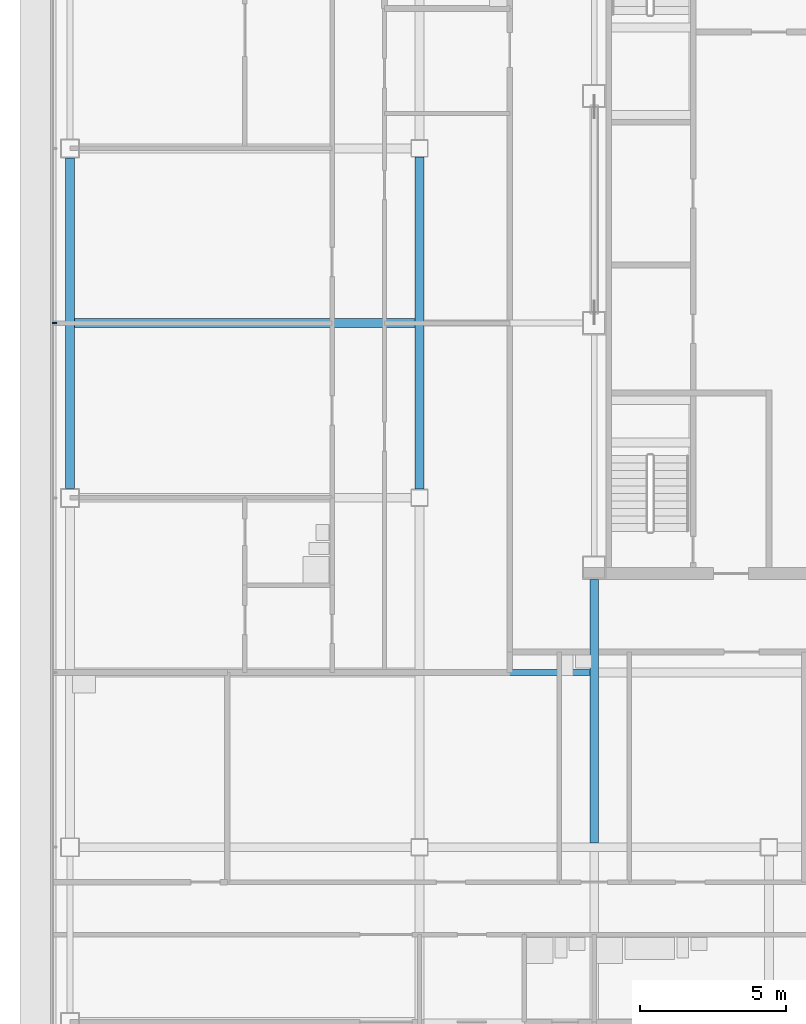
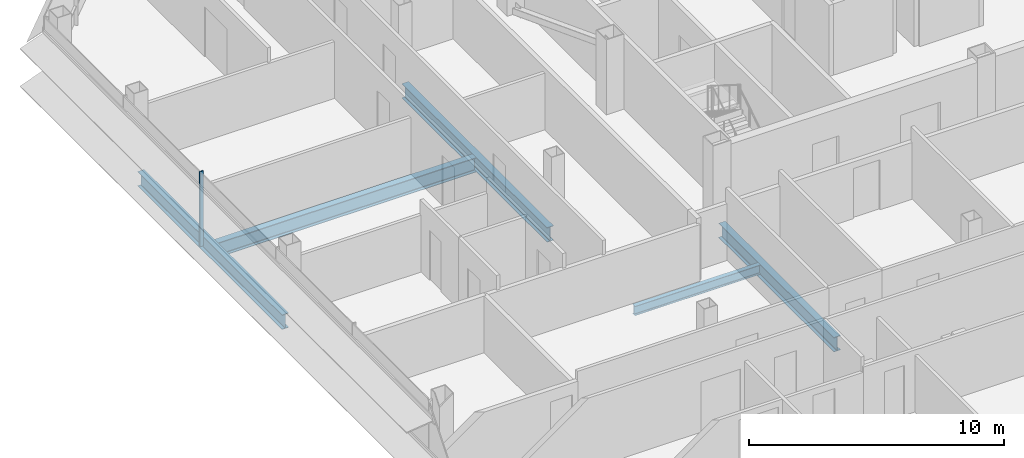
# One storey, part 6 of 27: 5 beams, 1 member, 1 element without a shape of its own.
"""IFC4 building model written with IfcOpenShell, lengths in metres."""

from ifc_helpers import new_model, si_unit, direction, frame, origin, origin_2d, place, context, subcontext, project, spatial, rectangle, i_section, extrude, material, material_profile, profile_set, type_object, element, aggregate, save


model = new_model("IFC4")

# Units and contexts
model_context = context("Model", 3, precision=1e-05, world=origin(), true_north=direction((0.0, 1.0)))
body_context = subcontext(model_context, "Body", "Model", "MODEL_VIEW")
ifc_project = project(units=[si_unit("LENGTHUNIT", "METRE"), si_unit("AREAUNIT", "SQUARE_METRE"), si_unit("VOLUMEUNIT", "CUBIC_METRE"), si_unit("PLANEANGLEUNIT", "RADIAN"), si_unit("MASSUNIT", "GRAM", prefix="KILO")], contexts=[model_context])

# Site, building, storey
site_placement = place(None, origin())
site = spatial("IfcSite", under=ifc_project, at=site_placement, CompositionType="ELEMENT")
building_placement = place(site_placement, origin())
building = spatial("IfcBuilding", under=site, at=building_placement, Name="Sorahane Residences", CompositionType="ELEMENT")
storey_placement = place(building_placement, frame((0.0, 0.0, 226.199951171875)))
storey = spatial("IfcBuildingStorey", under=building, at=storey_placement, Name="L53", CompositionType="ELEMENT", Elevation=226.199951171875)

# Curtain wall, member
ifc_material_1 = material(Name="Dark low-e glass and black anodised aluminium", Category="aluminium")
curtain_wall_type = type_object("IfcCurtainWallType", Name="Curtain wall CW-1 Typical unitised wall", PredefinedType="NOTDEFINED", material=ifc_material_1)
curtain_wall_placement = place(storey_placement, origin())
curtain_wall = element("IfcCurtainWall", 1, at=curtain_wall_placement, inside=storey, type_object=curtain_wall_type, Name="CW-1 curtain wall L53 W1", PredefinedType="NOTDEFINED")
ifc_material_2 = material(Name="Black anodised aluminium", Category="aluminium")
ifc_material_profile_1 = material_profile(ifc_material_2, rectangle(XDim=0.159912109375, YDim=0.050048828125, at=origin_2d()), Name="Curtain wall mullion CW-1 black anodised aluminium 50x160")
ifc_profile_set_1 = profile_set([ifc_material_profile_1], Name="Black anodised aluminium")
member_type = type_object("IfcMemberType", Name="Curtain wall mullion CW-1 black anodised aluminium 50x160", PredefinedType="MULLION", material=ifc_profile_set_1)
member_placement = place(storey_placement, frame((-12.5400390625, 30.0, -0.179931640625), z_axis=(0.0, 0.0, 1.0), x_axis=(-1.0, 0.0, 0.0)))
member = element("IfcMember", 2, at=member_placement, type_object=member_type, Name="CW-1 mullion L53 W1.3", PredefinedType="MULLION", context=body_context, shape_type="SweptSolid", body=[
    extrude(rectangle(XDim=0.159912109375, YDim=0.050048828125, at=origin_2d()), origin(), (0.0, 0.0, 1.0), 3.60009765625),
])
aggregate(curtain_wall, [member])

# Beams
ifc_material_3 = material(Name="Steel Q355B", Category="steel")
ifc_material_profile_2 = material_profile(ifc_material_3, i_section(OverallWidth=0.199951171875, OverallDepth=0.449951171875, WebThickness=0.009033203125, FlangeThickness=0.013916015625, FilletRadius=0.02001953125, at=origin_2d()), Name="HN 450x200x9x14")
ifc_profile_set_2 = profile_set([ifc_material_profile_2], Name="Steel Q355B")
beam_type_1 = type_object("IfcBeamType", Name="Steel floor beam HN 450x200x9x14 Q355B", PredefinedType="BEAM", material=ifc_profile_set_2)
beam_1_placement = place(storey_placement, frame((0.14990234375, 18.0, -0.405029296875), z_axis=(1.0, 0.0, 0.0), x_axis=(0.0, 1.0, 0.0)))
element("IfcBeam", 3, at=beam_1_placement, inside=storey, type_object=beam_type_1, Name="Beam L53 079", PredefinedType="BEAM", context=body_context, shape_type="SweptSolid", body=[
    extrude(i_section(OverallWidth=0.199951171875, OverallDepth=0.449951171875, WebThickness=0.009033203125, FlangeThickness=0.013916015625, FilletRadius=0.02001953125, at=origin_2d()), origin(), (0.0, 0.0, 1.0), 5.7001953125),
])
ifc_material_4 = material(Name="Steel Q355B", Category="steel")
ifc_material_profile_3 = material_profile(ifc_material_4, i_section(OverallWidth=0.300048828125, OverallDepth=0.699951171875, WebThickness=0.012939453125, FlangeThickness=0.02392578125, FilletRadius=0.028076171875, at=origin_2d()), Name="HN 700x300x13x24")
ifc_profile_set_3 = profile_set([ifc_material_profile_3], Name="Steel Q355B")
beam_type_2 = type_object("IfcBeamType", Name="Steel floor beam HN 700x300x13x24 Q355B", PredefinedType="BEAM", material=ifc_profile_set_3)
beam_2_placement = place(storey_placement, frame((-12.0, 24.324951171875, -0.530029296875), z_axis=(0.0, 1.0, 0.0), x_axis=(-1.0, 0.0, 0.0)))
element("IfcBeam", 4, at=beam_2_placement, inside=storey, type_object=beam_type_2, Name="Beam L53 022", PredefinedType="BEAM", context=body_context, shape_type="SweptSolid", body=[
    extrude(i_section(OverallWidth=0.300048828125, OverallDepth=0.699951171875, WebThickness=0.012939453125, FlangeThickness=0.02392578125, FilletRadius=0.028076171875, at=origin_2d()), origin(), (0.0, 0.0, 1.0), 11.35009765625),
])
beam_3_placement = place(storey_placement, frame((0.0, 24.300048828125, -0.530029296875), z_axis=(0.0, 1.0, 0.0), x_axis=(-1.0, 0.0, 0.0)))
element("IfcBeam", 5, at=beam_3_placement, inside=storey, type_object=beam_type_2, Name="Beam L53 026", PredefinedType="BEAM", context=body_context, shape_type="SweptSolid", body=[
    extrude(i_section(OverallWidth=0.300048828125, OverallDepth=0.699951171875, WebThickness=0.012939453125, FlangeThickness=0.02392578125, FilletRadius=0.028076171875, at=origin_2d()), origin(), (0.0, 0.0, 1.0), 11.39990234375),
])
beam_4_placement = place(storey_placement, frame((6.0, 12.14990234375, -0.530029296875), z_axis=(0.0, 1.0, 0.0), x_axis=(-1.0, 0.0, 0.0)))
element("IfcBeam", 6, at=beam_4_placement, inside=storey, type_object=beam_type_2, Name="Beam L53 029", PredefinedType="BEAM", context=body_context, shape_type="SweptSolid", body=[
    extrude(i_section(OverallWidth=0.300048828125, OverallDepth=0.699951171875, WebThickness=0.012939453125, FlangeThickness=0.02392578125, FilletRadius=0.028076171875, at=origin_2d()), origin(), (0.0, 0.0, 1.0), 9.050048828125),
])
beam_5_placement = place(storey_placement, frame((-11.85009765625, 30.0, -0.530029296875), z_axis=(1.0, 0.0, 0.0), x_axis=(0.0, 1.0, 0.0)))
element("IfcBeam", 7, at=beam_5_placement, inside=storey, type_object=beam_type_2, Name="Beam L53 085", PredefinedType="BEAM", context=body_context, shape_type="SweptSolid", body=[
    extrude(i_section(OverallWidth=0.300048828125, OverallDepth=0.699951171875, WebThickness=0.012939453125, FlangeThickness=0.02392578125, FilletRadius=0.028076171875, at=origin_2d()), origin(), (0.0, 0.0, 1.0), 11.7001953125),
])

save(model, "model.ifc")
